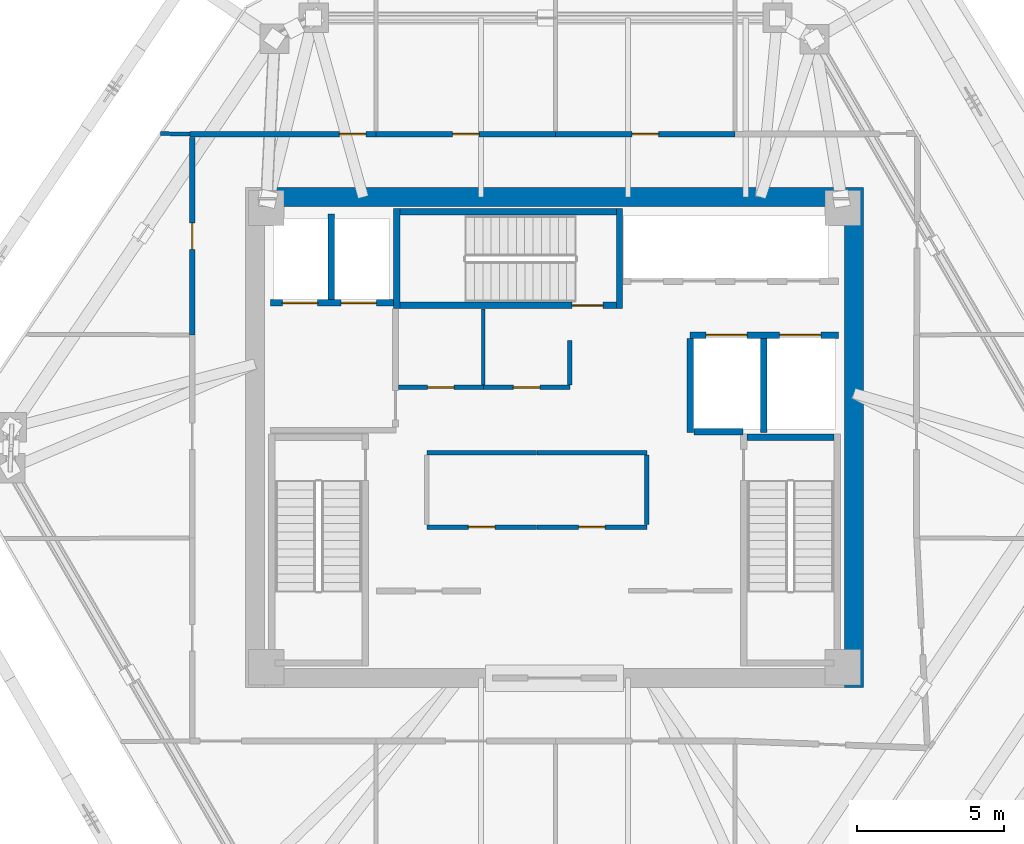
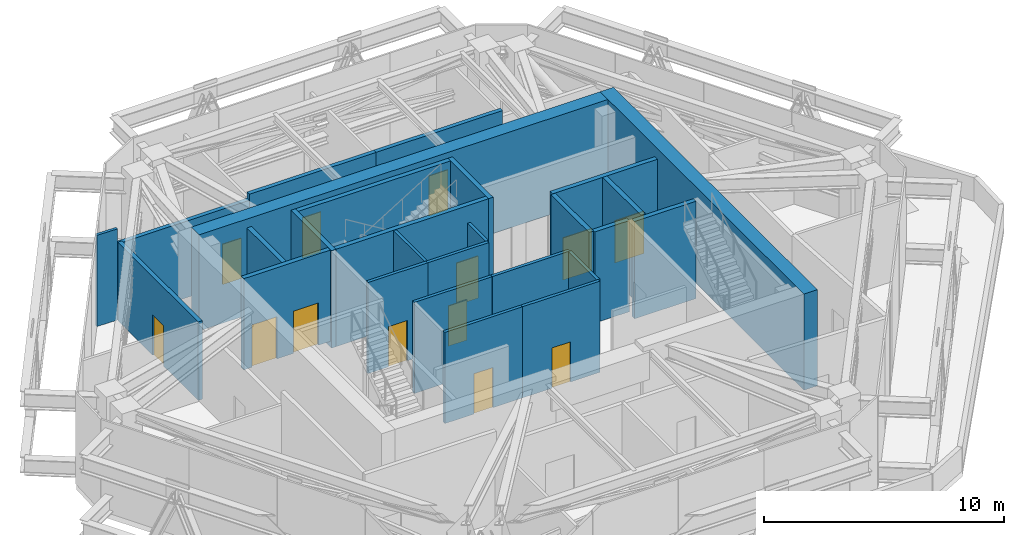
# One storey, part 8 of 10: 27 walls, 13 doors, 13 openings.
"""IFC4 building model written with IfcOpenShell, lengths in metres."""

from ifc_helpers import new_model, si_unit, direction, frame, frame_2d, origin, place, context, subcontext, project, spatial, rectangle, extrude, source, transform, mapped, material, layer, layer_set, type_object, type_shapes, element, fill, save


model = new_model("IFC4")

# Units and contexts
model_context = context("Model", 3, precision=1e-05, world=origin(), true_north=direction((0.0, 1.0)))
body_context = subcontext(model_context, "Body", "Model", "MODEL_VIEW")
ifc_project = project(units=[si_unit("LENGTHUNIT", "METRE"), si_unit("AREAUNIT", "SQUARE_METRE"), si_unit("VOLUMEUNIT", "CUBIC_METRE"), si_unit("PLANEANGLEUNIT", "RADIAN"), si_unit("MASSUNIT", "GRAM", prefix="KILO")], contexts=[model_context])

# Site, building, storey
site_placement = place(None, origin())
site = spatial("IfcSite", under=ifc_project, at=site_placement, CompositionType="ELEMENT")
building_placement = place(site_placement, origin())
building = spatial("IfcBuilding", under=site, at=building_placement, Name="Durnholm Broadcast Tower", CompositionType="ELEMENT")
storey_placement = place(building_placement, frame((0.0, 0.0, 213.39990234375)))
storey = spatial("IfcBuildingStorey", under=building, at=storey_placement, Name="L59", CompositionType="ELEMENT", Elevation=213.39990234375)

# Walls
ifc_material_1 = material(Name="Concrete C70/85", Category="concrete")
ifc_layer_1 = layer(ifc_material_1, 0.64990234375)
ifc_layer_set_1 = layer_set([ifc_layer_1], Name="Concrete C70/85")
wall_type_1 = type_object("IfcWallType", Name="WALL-CW-650", PredefinedType="SHEAR", material=ifc_layer_set_1)
wall_1_placement = place(storey_placement, frame((10.175048828125, -8.5, 0.0), z_axis=(0.0, 0.0, 1.0), x_axis=(0.0, 1.0, 0.0)))
element("IfcWall", 1, at=wall_1_placement, inside=storey, type_object=wall_type_1, Name="L59 central core shear wall CW-EAST", PredefinedType="SHEAR", context=body_context, shape_type="SweptSolid", body=[
    extrude(rectangle(XDim=17.0, YDim=0.64990234375, at=frame_2d((8.5, 0.0))), origin(), (0.0, 0.0, 1.0), 4.900146484375),
])
wall_2_placement = place(storey_placement, frame((-9.85009765625, 8.175048828125, 0.0), z_axis=(0.0, 0.0, 1.0), x_axis=(1.0, 0.0, 0.0)))
element("IfcWall", 2, at=wall_2_placement, inside=storey, type_object=wall_type_1, Name="L59 central core shear wall CW-N", PredefinedType="SHEAR", context=body_context, shape_type="SweptSolid", body=[
    extrude(rectangle(XDim=19.7001953125, YDim=0.64990234375, at=frame_2d((9.85009765625, 0.0))), origin(), (0.0, 0.0, 1.0), 4.900146484375),
])

# Wall, opening, door
ifc_material_2 = material(Name="Fire-Rated Gypsum Shaftwall", Category="concrete")
ifc_layer_2 = layer(ifc_material_2, 0.199951171875)
ifc_layer_set_2 = layer_set([ifc_layer_2], Name="Fire-Rated Gypsum Shaftwall")
wall_type_2 = type_object("IfcWallType", Name="WALL-LOB-200", PredefinedType="SOLIDWALL", material=ifc_layer_set_2)
wall_3_placement = place(storey_placement, frame((-6.06005859375, 10.31005859375, 0.0), z_axis=(0.0, 0.0, 1.0), x_axis=(-1.0, 0.0, 0.0)))
wall_3 = element("IfcWall", 3, at=wall_3_placement, inside=storey, type_object=wall_type_2, Name="L59 Mechanical Plant Room - Chilled Water Heat Exchanger corridor partition", PredefinedType="SOLIDWALL", context=body_context, shape_type="SweptSolid", body=[
    extrude(rectangle(XDim=6.329833984375, YDim=0.199951171875, at=frame_2d((3.1650390625, 0.0))), origin(), (0.0, 0.0, 1.0), 3.9013671875),
])
opening_1_placement = place(wall_3_placement, frame((0.35009765625, 0.0, 0.0)))
opening_1 = element("IfcOpeningElement", 4, at=opening_1_placement, cuts=wall_3, Name="Opening DC-60L", PredefinedType="OPENING", context=body_context, shape_type="SweptSolid", body=[
    extrude(rectangle(XDim=0.89990234375, YDim=2.050048828125, at=frame_2d((0.449951171875, 1.02490234375))), frame((0.0, 0.10986328125, 0.0), z_axis=(0.0, -1.0, 0.0), x_axis=(1.0, 0.0, 0.0)), (0.0, 0.0, 1.0), 0.219970703125),
])
ifc_material_3 = material(Name="Fire-Rated Core Service Door", Category="steel")
ifc_layer_3 = layer(ifc_material_3, 0.050048828125)
ifc_layer_set_3 = layer_set([ifc_layer_3], Name="Fire-Rated Core Service Door")
door_type_1 = type_object("IfcDoorType", Name="DOOR-CORE-FD60-L", OperationType="NOTDEFINED", PredefinedType="DOOR", material=ifc_layer_set_3)
shared_shape_1 = source(origin(), body_context, "Body", "SweptSolid", [
    extrude(rectangle(XDim=0.89990234375, YDim=2.050048828125, at=frame_2d((0.449951171875, 1.02490234375))), frame((0.0, 0.02490234375, 0.0), z_axis=(0.0, -1.0, 0.0), x_axis=(1.0, 0.0, 0.0)), (0.0, 0.0, 1.0), 0.050048828125),
])
type_shapes(door_type_1, [shared_shape_1])
door_1_placement = place(opening_1_placement, origin())
door_1 = element("IfcDoor", 5, at=door_1_placement, inside=storey, type_object=door_type_1, Name="L59 Mechanical Plant Room - Chilled Water Heat Exchanger entrance door", OperationType="SINGLE_SWING_LEFT", OverallHeight=2.050048828125, OverallWidth=0.89990234375, PredefinedType="DOOR", context=body_context, shape_type="MappedRepresentation", body=[
    mapped(shared_shape_1, transform((0.0, 0.0, 0.0), x_axis=(1.0, 0.0, 0.0), y_axis=(0.0, 1.0, 0.0), z_axis=(0.0, 0.0, 1.0), scale=1.0)),
])
fill(opening_1, door_1)

wall_4_placement = place(storey_placement, frame((0.0400390625, 10.31005859375, 0.0), z_axis=(0.0, 0.0, 1.0), x_axis=(-1.0, 0.0, 0.0)))
wall_4 = element("IfcWall", 6, at=wall_4_placement, inside=storey, type_object=wall_type_2, Name="L59 Mechanical Plant Room - Dedicated Outdoor Air Handling corridor partition", PredefinedType="SOLIDWALL", context=body_context, shape_type="SweptSolid", body=[
    extrude(rectangle(XDim=6.10009765625, YDim=0.199951171875, at=frame_2d((3.050048828125, 0.0))), origin(), (0.0, 0.0, 1.0), 4.20849609375),
])
opening_2_placement = place(wall_4_placement, frame((2.60009765625, 0.0, 0.0)))
opening_2 = element("IfcOpeningElement", 7, at=opening_2_placement, cuts=wall_4, Name="Opening DC-60R", PredefinedType="OPENING", context=body_context, shape_type="SweptSolid", body=[
    extrude(rectangle(XDim=0.89990234375, YDim=2.050048828125, at=frame_2d((0.449951171875, 1.02490234375))), frame((0.0, 0.10986328125, 0.0), z_axis=(0.0, -1.0, 0.0), x_axis=(1.0, 0.0, 0.0)), (0.0, 0.0, 1.0), 0.219970703125),
])
ifc_layer_4 = layer(ifc_material_3, 0.050048828125)
ifc_layer_set_4 = layer_set([ifc_layer_4], Name="Fire-Rated Core Service Door")
door_type_2 = type_object("IfcDoorType", Name="DOOR-CORE-FD60-R", OperationType="NOTDEFINED", PredefinedType="DOOR", material=ifc_layer_set_4)
shared_shape_2 = source(origin(), body_context, "Body", "SweptSolid", [
    extrude(rectangle(XDim=0.89990234375, YDim=2.050048828125, at=frame_2d((0.449951171875, 1.02490234375))), frame((0.0, 0.02490234375, 0.0), z_axis=(0.0, -1.0, 0.0), x_axis=(1.0, 0.0, 0.0)), (0.0, 0.0, 1.0), 0.050048828125),
])
type_shapes(door_type_2, [shared_shape_2])
door_2_placement = place(opening_2_placement, origin())
door_2 = element("IfcDoor", 8, at=door_2_placement, inside=storey, type_object=door_type_2, Name="L59 Mechanical Plant Room - Dedicated Outdoor Air Handling entrance door", OperationType="SINGLE_SWING_RIGHT", OverallHeight=2.050048828125, OverallWidth=0.89990234375, PredefinedType="DOOR", context=body_context, shape_type="MappedRepresentation", body=[
    mapped(shared_shape_2, transform((0.0, 0.0, 0.0), x_axis=(1.0, 0.0, 0.0), y_axis=(0.0, 1.0, 0.0), z_axis=(0.0, 0.0, 1.0), scale=1.0)),
])
fill(opening_2, door_2)

wall_5_placement = place(storey_placement, frame((6.139892578125, 10.31005859375, 0.0), z_axis=(0.0, 0.0, 1.0), x_axis=(-1.0, 0.0, 0.0)))
wall_5 = element("IfcWall", 9, at=wall_5_placement, inside=storey, type_object=wall_type_2, Name="L59 Mechanical Plant Room - Condenser Water Pump Station corridor partition", PredefinedType="SOLIDWALL", context=body_context, shape_type="SweptSolid", body=[
    extrude(rectangle(XDim=6.099853515625, YDim=0.199951171875, at=frame_2d((3.0498046875, 0.0))), origin(), (0.0, 0.0, 1.0), 4.20849609375),
])
opening_3_placement = place(wall_5_placement, frame((2.60009765625, 0.0, 0.0)))
opening_3 = element("IfcOpeningElement", 10, at=opening_3_placement, cuts=wall_5, Name="Opening DC-60L", PredefinedType="OPENING", context=body_context, shape_type="SweptSolid", body=[
    extrude(rectangle(XDim=0.89990234375, YDim=2.050048828125, at=frame_2d((0.449951171875, 1.02490234375))), frame((0.0, 0.10986328125, 0.0), z_axis=(0.0, -1.0, 0.0), x_axis=(1.0, 0.0, 0.0)), (0.0, 0.0, 1.0), 0.219970703125),
])
door_3_placement = place(opening_3_placement, origin())
door_3 = element("IfcDoor", 11, at=door_3_placement, inside=storey, type_object=door_type_1, Name="L59 Mechanical Plant Room - Condenser Water Pump Station entrance door", OperationType="SINGLE_SWING_LEFT", OverallHeight=2.050048828125, OverallWidth=0.89990234375, PredefinedType="DOOR", context=body_context, shape_type="MappedRepresentation", body=[
    mapped(shared_shape_1, transform((0.0, 0.0, 0.0), x_axis=(1.0, 0.0, 0.0), y_axis=(0.0, 1.0, 0.0), z_axis=(0.0, 0.0, 1.0), scale=1.0)),
])
fill(opening_3, door_3)

wall_6_placement = place(storey_placement, frame((-12.31005859375, 10.2060546875, 0.0), z_axis=(0.0, 0.0, 1.0), x_axis=(0.0, -1.0, 0.0)))
wall_6 = element("IfcWall", 12, at=wall_6_placement, inside=storey, type_object=wall_type_2, Name="L59 Mechanical Plant Room - Telecom Cooling Distribution corridor partition", PredefinedType="SOLIDWALL", context=body_context, shape_type="SweptSolid", body=[
    extrude(rectangle(XDim=6.716064453125, YDim=0.199951171875, at=frame_2d((3.35791015625, 0.0))), origin(), (0.0, 0.0, 1.0), 3.998779296875),
])
opening_4_placement = place(wall_6_placement, frame((2.907958984375, 0.0, 0.0)))
opening_4 = element("IfcOpeningElement", 13, at=opening_4_placement, cuts=wall_6, Name="Opening DC-60R", PredefinedType="OPENING", context=body_context, shape_type="SweptSolid", body=[
    extrude(rectangle(XDim=0.89990234375, YDim=2.050048828125, at=frame_2d((0.449951171875, 1.02490234375))), frame((0.0, 0.10986328125, 0.0), z_axis=(0.0, -1.0, 0.0), x_axis=(1.0, 0.0, 0.0)), (0.0, 0.0, 1.0), 0.219970703125),
])
door_4_placement = place(opening_4_placement, origin())
door_4 = element("IfcDoor", 14, at=door_4_placement, inside=storey, type_object=door_type_2, Name="L59 Mechanical Plant Room - Telecom Cooling Distribution entrance door", OperationType="SINGLE_SWING_RIGHT", OverallHeight=2.050048828125, OverallWidth=0.89990234375, PredefinedType="DOOR", context=body_context, shape_type="MappedRepresentation", body=[
    mapped(shared_shape_2, transform((0.0, 0.0, 0.0), x_axis=(1.0, 0.0, 0.0), y_axis=(0.0, 1.0, 0.0), z_axis=(0.0, 0.0, 1.0), scale=1.0)),
])
fill(opening_4, door_4)

# Walls
ifc_material_4 = material(Name="Gypsum Metal Stud Partition", Category="concrete")
ifc_layer_5 = layer(ifc_material_4, 0.135009765625)
ifc_layer_set_5 = layer_set([ifc_layer_5], Name="Gypsum Metal Stud Partition")
wall_type_3 = type_object("IfcWallType", Name="WALL-PART-135", PredefinedType="PARTITIONING", material=ifc_layer_set_5)
wall_7_placement = place(storey_placement, frame((-2.419921875, 4.375, 0.0), z_axis=(0.0, 0.0, 1.0), x_axis=(0.0, -1.0, 0.0)))
element("IfcWall", 15, at=wall_7_placement, inside=storey, type_object=wall_type_3, Name="L59 room dividing partition 5.6", PredefinedType="PARTITIONING", context=body_context, shape_type="SweptSolid", body=[
    extrude(rectangle(XDim=2.5859375, YDim=0.135009765625, at=frame_2d((1.29296875, 0.0))), origin(), (0.0, 0.0, 1.0), 4.64501953125),
])
wall_8_placement = place(storey_placement, frame((-12.389892578125, 10.311767578125, 0.0), z_axis=(0.0, 0.0, 1.0), x_axis=(-0.999782630862, 0.020849245246, 0.0)))
element("IfcWall", 16, at=wall_8_placement, inside=storey, type_object=wall_type_3, Name="L59 room dividing partition 7.20", PredefinedType="PARTITIONING", context=body_context, shape_type="SweptSolid", body=[
    extrude(rectangle(XDim=0.995361328125, YDim=0.135009765625, at=frame_2d((0.49755859375, 0.0))), origin(), (0.0, 0.0, 1.0), 4.64501953125),
])

# Wall, opening, door
ifc_material_5 = material(Name="Acoustic Gypsum Stud Partition", Category="concrete")
ifc_layer_6 = layer(ifc_material_5, 0.14990234375)
ifc_layer_set_6 = layer_set([ifc_layer_6], Name="Acoustic Gypsum Stud Partition")
wall_type_4 = type_object("IfcWallType", Name="WALL-PART-150", PredefinedType="PARTITIONING", material=ifc_layer_set_6)
wall_9_placement = place(storey_placement, frame((-0.610107421875, -3.0400390625, 0.0), z_axis=(0.0, 0.0, 1.0), x_axis=(-1.0, 0.0, 0.0)))
wall_9 = element("IfcWall", 17, at=wall_9_placement, inside=storey, type_object=wall_type_4, Name="L59 Digital Tape Archive Store corridor partition", PredefinedType="PARTITIONING", context=body_context, shape_type="SweptSolid", body=[
    extrude(rectangle(XDim=3.72998046875, YDim=0.14990234375, at=frame_2d((1.864990234375, 0.0))), origin(), (0.0, 0.0, 1.0), 4.64501953125),
])
opening_5_placement = place(wall_9_placement, frame((1.4150390625, 0.0, 0.0)))
opening_5 = element("IfcOpeningElement", 18, at=opening_5_placement, cuts=wall_9, Name="Opening DC-60L", PredefinedType="OPENING", context=body_context, shape_type="SweptSolid", body=[
    extrude(rectangle(XDim=0.89990234375, YDim=2.050048828125, at=frame_2d((0.449951171875, 1.02490234375))), frame((0.0, 0.0849609375, 0.0), z_axis=(0.0, -1.0, 0.0), x_axis=(1.0, 0.0, 0.0)), (0.0, 0.0, 1.0), 0.169921875),
])
door_5_placement = place(opening_5_placement, origin())
door_5 = element("IfcDoor", 19, at=door_5_placement, inside=storey, type_object=door_type_1, Name="L59 Digital Tape Archive Store entrance door", OperationType="SINGLE_SWING_LEFT", OverallHeight=2.050048828125, OverallWidth=0.89990234375, PredefinedType="DOOR", context=body_context, shape_type="MappedRepresentation", body=[
    mapped(shared_shape_1, transform((0.0, 0.0, 0.0), x_axis=(1.0, 0.0, 0.0), y_axis=(0.0, 1.0, 0.0), z_axis=(0.0, 0.0, 1.0), scale=1.0)),
])
fill(opening_5, door_5)

# Wall
wall_10_placement = place(storey_placement, frame((-4.340087890625, -0.510009765625, 0.0), z_axis=(0.0, 0.0, 1.0), x_axis=(1.0, 0.0, 0.0)))
element("IfcWall", 20, at=wall_10_placement, inside=storey, type_object=wall_type_4, Name="L59 Digital Tape Archive Store corridor partition", PredefinedType="PARTITIONING", context=body_context, shape_type="SweptSolid", body=[
    extrude(rectangle(XDim=3.72998046875, YDim=0.14990234375, at=frame_2d((1.864990234375, 0.0))), origin(), (0.0, 0.0, 1.0), 4.64501953125),
])

# Wall, opening, door
wall_11_placement = place(storey_placement, frame((3.139892578125, -3.0400390625, 0.0), z_axis=(0.0, 0.0, 1.0), x_axis=(-1.0, 0.0, 0.0)))
wall_11 = element("IfcWall", 21, at=wall_11_placement, inside=storey, type_object=wall_type_4, Name="L59 High-Rise Refreshment Pantry corridor partition", PredefinedType="PARTITIONING", context=body_context, shape_type="SweptSolid", body=[
    extrude(rectangle(XDim=3.72998046875, YDim=0.14990234375, at=frame_2d((1.864990234375, 0.0))), origin(), (0.0, 0.0, 1.0), 4.64501953125),
])
opening_6_placement = place(wall_11_placement, frame((1.4150390625, 0.0, 0.0)))
opening_6 = element("IfcOpeningElement", 22, at=opening_6_placement, cuts=wall_11, Name="Opening DC-60R", PredefinedType="OPENING", context=body_context, shape_type="SweptSolid", body=[
    extrude(rectangle(XDim=0.89990234375, YDim=2.050048828125, at=frame_2d((0.449951171875, 1.02490234375))), frame((0.0, 0.0849609375, 0.0), z_axis=(0.0, -1.0, 0.0), x_axis=(1.0, 0.0, 0.0)), (0.0, 0.0, 1.0), 0.169921875),
])
door_6_placement = place(opening_6_placement, origin())
door_6 = element("IfcDoor", 23, at=door_6_placement, inside=storey, type_object=door_type_2, Name="L59 High-Rise Refreshment Pantry entrance door", OperationType="SINGLE_SWING_RIGHT", OverallHeight=2.050048828125, OverallWidth=0.89990234375, PredefinedType="DOOR", context=body_context, shape_type="MappedRepresentation", body=[
    mapped(shared_shape_2, transform((0.0, 0.0, 0.0), x_axis=(1.0, 0.0, 0.0), y_axis=(0.0, 1.0, 0.0), z_axis=(0.0, 0.0, 1.0), scale=1.0)),
])
fill(opening_6, door_6)

# Walls
wall_12_placement = place(storey_placement, frame((-0.590087890625, -0.510009765625, 0.0), z_axis=(0.0, 0.0, 1.0), x_axis=(1.0, 0.0, 0.0)))
element("IfcWall", 24, at=wall_12_placement, inside=storey, type_object=wall_type_4, Name="L59 High-Rise Refreshment Pantry corridor partition", PredefinedType="PARTITIONING", context=body_context, shape_type="SweptSolid", body=[
    extrude(rectangle(XDim=3.72998046875, YDim=0.14990234375, at=frame_2d((1.864990234375, 0.0))), origin(), (0.0, 0.0, 1.0), 4.64501953125),
])
wall_13_placement = place(storey_placement, frame((3.139892578125, -0.589111328125, 0.0), z_axis=(0.0, 0.0, 1.0), x_axis=(0.0, -1.0, 0.0)))
element("IfcWall", 25, at=wall_13_placement, inside=storey, type_object=wall_type_4, Name="L59 High-Rise Refreshment Pantry corridor partition", PredefinedType="PARTITIONING", context=body_context, shape_type="SweptSolid", body=[
    extrude(rectangle(XDim=2.371826171875, YDim=0.14990234375, at=frame_2d((1.18603515625, 0.0))), origin(), (0.0, 0.0, 1.0), 4.64501953125),
])

# Wall, opening, door
wall_14_placement = place(storey_placement, frame((-2.419921875, 1.7099609375, 0.0), z_axis=(0.0, 0.0, 1.0), x_axis=(-1.0, 0.0, 0.0)))
wall_14 = element("IfcWall", 26, at=wall_14_placement, inside=storey, type_object=wall_type_4, Name="L59 Core Equipment Store corridor partition", PredefinedType="PARTITIONING", context=body_context, shape_type="SweptSolid", body=[
    extrude(rectangle(XDim=2.8759765625, YDim=0.14990234375, at=frame_2d((1.43798828125, 0.0))), origin(), (0.0, 0.0, 1.0), 4.64501953125),
])
opening_7_placement = place(wall_14_placement, frame((0.988037109375, 0.0, 0.0)))
opening_7 = element("IfcOpeningElement", 27, at=opening_7_placement, cuts=wall_14, Name="Opening DC-60L", PredefinedType="OPENING", context=body_context, shape_type="SweptSolid", body=[
    extrude(rectangle(XDim=0.89990234375, YDim=2.050048828125, at=frame_2d((0.449951171875, 1.02490234375))), frame((0.0, 0.0849609375, 0.0), z_axis=(0.0, -1.0, 0.0), x_axis=(1.0, 0.0, 0.0)), (0.0, 0.0, 1.0), 0.169921875),
])
door_7_placement = place(opening_7_placement, origin())
door_7 = element("IfcDoor", 28, at=door_7_placement, inside=storey, type_object=door_type_1, Name="L59 Core Equipment Store entrance door", OperationType="SINGLE_SWING_LEFT", OverallHeight=2.050048828125, OverallWidth=0.89990234375, PredefinedType="DOOR", context=body_context, shape_type="MappedRepresentation", body=[
    mapped(shared_shape_1, transform((0.0, 0.0, 0.0), x_axis=(1.0, 0.0, 0.0), y_axis=(0.0, 1.0, 0.0), z_axis=(0.0, 0.0, 1.0), scale=1.0)),
])
fill(opening_7, door_7)

wall_15_placement = place(storey_placement, frame((0.52001953125, 1.7099609375, 0.0), z_axis=(0.0, 0.0, 1.0), x_axis=(-1.0, 0.0, 0.0)))
wall_15 = element("IfcWall", 29, at=wall_15_placement, inside=storey, type_object=wall_type_4, Name="L59 Core Mail and Supply Room corridor partition", PredefinedType="PARTITIONING", context=body_context, shape_type="SweptSolid", body=[
    extrude(rectangle(XDim=2.93994140625, YDim=0.14990234375, at=frame_2d((1.469970703125, 0.0))), origin(), (0.0, 0.0, 1.0), 4.64501953125),
])
opening_8_placement = place(wall_15_placement, frame((1.02001953125, 0.0, 0.0)))
opening_8 = element("IfcOpeningElement", 30, at=opening_8_placement, cuts=wall_15, Name="Opening DC-60R", PredefinedType="OPENING", context=body_context, shape_type="SweptSolid", body=[
    extrude(rectangle(XDim=0.89990234375, YDim=2.050048828125, at=frame_2d((0.449951171875, 1.02490234375))), frame((0.0, 0.0849609375, 0.0), z_axis=(0.0, -1.0, 0.0), x_axis=(1.0, 0.0, 0.0)), (0.0, 0.0, 1.0), 0.169921875),
])
door_8_placement = place(opening_8_placement, origin())
door_8 = element("IfcDoor", 31, at=door_8_placement, inside=storey, type_object=door_type_2, Name="L59 Core Mail and Supply Room entrance door", OperationType="SINGLE_SWING_RIGHT", OverallHeight=2.050048828125, OverallWidth=0.89990234375, PredefinedType="DOOR", context=body_context, shape_type="MappedRepresentation", body=[
    mapped(shared_shape_2, transform((0.0, 0.0, 0.0), x_axis=(1.0, 0.0, 0.0), y_axis=(0.0, 1.0, 0.0), z_axis=(0.0, 0.0, 1.0), scale=1.0)),
])
fill(opening_8, door_8)

# Wall
wall_16_placement = place(storey_placement, frame((0.52001953125, 3.300048828125, 0.0), z_axis=(0.0, 0.0, 1.0), x_axis=(0.0, -1.0, 0.0)))
element("IfcWall", 32, at=wall_16_placement, inside=storey, type_object=wall_type_4, Name="L59 Core Mail and Supply Room corridor partition", PredefinedType="PARTITIONING", context=body_context, shape_type="SweptSolid", body=[
    extrude(rectangle(XDim=1.510986328125, YDim=0.14990234375, at=frame_2d((0.75537109375, 0.0))), origin(), (0.0, 0.0, 1.0), 4.64501953125),
])

# Wall, openings, doors
ifc_material_6 = material(Name="Concrete Blockwork C30/37", Category="masonry")
ifc_layer_7 = layer(ifc_material_6, 0.219970703125)
ifc_layer_set_7 = layer_set([ifc_layer_7], Name="Concrete Blockwork C30/37")
wall_type_5 = type_object("IfcWallType", Name="WALL-SHAFT-220", PredefinedType="SOLIDWALL", material=ifc_layer_set_7)
wall_17_placement = place(storey_placement, frame((-9.64990234375, 4.580078125, 0.0), z_axis=(0.0, 0.0, 1.0), x_axis=(1.0, 0.0, 0.0)))
wall_17 = element("IfcWall", 33, at=wall_17_placement, inside=storey, type_object=wall_type_5, Name="L59 FSAE hoistway front fire wall", PredefinedType="SOLIDWALL", context=body_context, shape_type="SweptSolid", body=[
    extrude(rectangle(XDim=4.1748046875, YDim=0.219970703125, at=frame_2d((2.08740234375, 0.0))), origin(), (0.0, 0.0, 1.0), 4.64501953125),
])
opening_9_placement = place(wall_17_placement, frame((0.39990234375, 0.0, 0.0)))
opening_9 = element("IfcOpeningElement", 34, at=opening_9_placement, cuts=wall_17, Name="Opening LD-FSAE-2", PredefinedType="OPENING", context=body_context, shape_type="SweptSolid", body=[
    extrude(rectangle(XDim=1.199951171875, YDim=2.14990234375, at=frame_2d((0.60009765625, 1.074951171875))), frame((0.0, 0.1201171875, 0.0), z_axis=(0.0, -1.0, 0.0), x_axis=(1.0, 0.0, 0.0)), (0.0, 0.0, 1.0), 0.239990234375),
])
opening_10_placement = place(wall_17_placement, frame((2.39990234375, 0.0, 0.0)))
opening_10 = element("IfcOpeningElement", 35, at=opening_10_placement, cuts=wall_17, Name="Opening LD-FSAE-1", PredefinedType="OPENING", context=body_context, shape_type="SweptSolid", body=[
    extrude(rectangle(XDim=1.199951171875, YDim=2.14990234375, at=frame_2d((0.60009765625, 1.074951171875))), frame((0.0, 0.1201171875, 0.0), z_axis=(0.0, -1.0, 0.0), x_axis=(1.0, 0.0, 0.0)), (0.0, 0.0, 1.0), 0.239990234375),
])
ifc_material_7 = material(Name="Fire Service Access Sliding Landing Door", Category="steel")
ifc_layer_8 = layer(ifc_material_7, 0.050048828125)
ifc_layer_set_8 = layer_set([ifc_layer_8], Name="Fire Service Access Sliding Landing Door")
door_type_3 = type_object("IfcDoorType", Name="DOOR-LIFT-FSAE", OperationType="DOUBLE_DOOR_SLIDING", PredefinedType="DOOR", material=ifc_layer_set_8)
shared_shape_3 = source(origin(), body_context, "Body", "SweptSolid", [
    extrude(rectangle(XDim=1.199951171875, YDim=2.14990234375, at=frame_2d((0.60009765625, 1.074951171875))), frame((0.0, 0.02490234375, 0.0), z_axis=(0.0, -1.0, 0.0), x_axis=(1.0, 0.0, 0.0)), (0.0, 0.0, 1.0), 0.050048828125),
])
type_shapes(door_type_3, [shared_shape_3])
door_9_placement = place(opening_9_placement, origin())
door_9 = element("IfcDoor", 36, at=door_9_placement, inside=storey, type_object=door_type_3, Name="L59 Fire Service Access Elevator FSAE-2 sliding landing door", OperationType="DOUBLE_DOOR_SLIDING", OverallHeight=2.14990234375, OverallWidth=1.199951171875, PredefinedType="DOOR", context=body_context, shape_type="MappedRepresentation", body=[
    mapped(shared_shape_3, transform((0.0, 0.0, 0.0), x_axis=(1.0, 0.0, 0.0), y_axis=(0.0, 1.0, 0.0), z_axis=(0.0, 0.0, 1.0), scale=1.0)),
])
fill(opening_9, door_9)
door_10_placement = place(opening_10_placement, origin())
door_10 = element("IfcDoor", 37, at=door_10_placement, inside=storey, type_object=door_type_3, Name="L59 Fire Service Access Elevator FSAE-1 sliding landing door", OperationType="DOUBLE_DOOR_SLIDING", OverallHeight=2.14990234375, OverallWidth=1.199951171875, PredefinedType="DOOR", context=body_context, shape_type="MappedRepresentation", body=[
    mapped(shared_shape_3, transform((0.0, 0.0, 0.0), x_axis=(1.0, 0.0, 0.0), y_axis=(0.0, 1.0, 0.0), z_axis=(0.0, 0.0, 1.0), scale=1.0)),
])
fill(opening_10, door_10)

# Wall
wall_18_placement = place(storey_placement, frame((-7.580078125, 4.694091796875, 0.0), z_axis=(0.0, 0.0, 1.0), x_axis=(0.0, 1.0, 0.0)))
element("IfcWall", 38, at=wall_18_placement, inside=storey, type_object=wall_type_5, Name="L59 FSAE shaft divider wall", PredefinedType="SOLIDWALL", context=body_context, shape_type="SweptSolid", body=[
    extrude(rectangle(XDim=2.906005859375, YDim=0.219970703125, at=frame_2d((1.453125, 0.0))), origin(), (0.0, 0.0, 1.0), 4.64501953125),
])

# Wall, openings, doors
wall_19_placement = place(storey_placement, frame((4.60009765625, 3.47998046875, 0.0), z_axis=(0.0, 0.0, 1.0), x_axis=(1.0, 0.0, 0.0)))
wall_19 = element("IfcWall", 39, at=wall_19_placement, inside=storey, type_object=wall_type_5, Name="L59 freight service lifts north front wall", PredefinedType="SOLIDWALL", context=body_context, shape_type="SweptSolid", body=[
    extrude(rectangle(XDim=5.0498046875, YDim=0.219970703125, at=frame_2d((2.52490234375, 0.0))), origin(), (0.0, 0.0, 1.0), 4.64501953125),
])
opening_11_placement = place(wall_19_placement, frame((0.550048828125, 0.0, 0.0)))
opening_11 = element("IfcOpeningElement", 40, at=opening_11_placement, cuts=wall_19, Name="Opening LD-SVL-2", PredefinedType="OPENING", context=body_context, shape_type="SweptSolid", body=[
    extrude(rectangle(XDim=1.39990234375, YDim=2.14990234375, at=frame_2d((0.699951171875, 1.074951171875))), frame((0.0, 0.1201171875, 0.0), z_axis=(0.0, -1.0, 0.0), x_axis=(1.0, 0.0, 0.0)), (0.0, 0.0, 1.0), 0.239990234375),
])
opening_12_placement = place(wall_19_placement, frame((3.050048828125, 0.0, 0.0)))
opening_12 = element("IfcOpeningElement", 41, at=opening_12_placement, cuts=wall_19, Name="Opening LD-SVL-1", PredefinedType="OPENING", context=body_context, shape_type="SweptSolid", body=[
    extrude(rectangle(XDim=1.39990234375, YDim=2.14990234375, at=frame_2d((0.699951171875, 1.074951171875))), frame((0.0, 0.1201171875, 0.0), z_axis=(0.0, -1.0, 0.0), x_axis=(1.0, 0.0, 0.0)), (0.0, 0.0, 1.0), 0.239990234375),
])
ifc_material_8 = material(Name="Freight Elevator Bi-Parting Sliding Landing Door", Category="steel")
ifc_layer_9 = layer(ifc_material_8, 0.050048828125)
ifc_layer_set_9 = layer_set([ifc_layer_9], Name="Freight Elevator Bi-Parting Sliding Landing Door")
door_type_4 = type_object("IfcDoorType", Name="DOOR-LIFT-SVL", OperationType="DOUBLE_DOOR_SLIDING", PredefinedType="DOOR", material=ifc_layer_set_9)
shared_shape_4 = source(origin(), body_context, "Body", "SweptSolid", [
    extrude(rectangle(XDim=1.39990234375, YDim=2.14990234375, at=frame_2d((0.699951171875, 1.074951171875))), frame((0.0, 0.02490234375, 0.0), z_axis=(0.0, -1.0, 0.0), x_axis=(1.0, 0.0, 0.0)), (0.0, 0.0, 1.0), 0.050048828125),
])
type_shapes(door_type_4, [shared_shape_4])
door_11_placement = place(opening_11_placement, origin())
door_11 = element("IfcDoor", 42, at=door_11_placement, inside=storey, type_object=door_type_4, Name="L59 freight service elevator SVL-2 sliding landing door", OperationType="DOUBLE_DOOR_SLIDING", OverallHeight=2.14990234375, OverallWidth=1.39990234375, PredefinedType="DOOR", context=body_context, shape_type="MappedRepresentation", body=[
    mapped(shared_shape_4, transform((0.0, 0.0, 0.0), x_axis=(1.0, 0.0, 0.0), y_axis=(0.0, 1.0, 0.0), z_axis=(0.0, 0.0, 1.0), scale=1.0)),
])
fill(opening_11, door_11)
door_12_placement = place(opening_12_placement, origin())
door_12 = element("IfcDoor", 43, at=door_12_placement, inside=storey, type_object=door_type_4, Name="L59 freight service elevator SVL-1 sliding landing door", OperationType="DOUBLE_DOOR_SLIDING", OverallHeight=2.14990234375, OverallWidth=1.39990234375, PredefinedType="DOOR", context=body_context, shape_type="MappedRepresentation", body=[
    mapped(shared_shape_4, transform((0.0, 0.0, 0.0), x_axis=(1.0, 0.0, 0.0), y_axis=(0.0, 1.0, 0.0), z_axis=(0.0, 0.0, 1.0), scale=1.0)),
])
fill(opening_12, door_12)

# Walls
for number, where, z_axis, x_axis, name in (
    (44, (4.6201171875, 0.179931640625, 0.0), (0.0, 0.0, 1.0), (0.0, 1.0, 0.0), "L59 freight service lift SVL-2 west wall"),
    (45, (7.1201171875, 0.179931640625, 0.0), (0.0, 0.0, 1.0), (0.0, 1.0, 0.0), "L59 freight service lifts divider wall"),
):
    element("IfcWall", number, at=place(storey_placement, frame(where, z_axis=z_axis, x_axis=x_axis)), inside=storey, type_object=wall_type_5, Name=name, PredefinedType="SOLIDWALL", context=body_context, shape_type="SweptSolid", body=[
        extrude(rectangle(XDim=3.18603515625, YDim=0.219970703125, at=frame_2d((1.593017578125, 0.0))), origin(), (0.0, 0.0, 1.0), 4.64501953125),
    ])
wall_20_placement = place(storey_placement, frame((4.73388671875, 0.199951171875, 0.0), z_axis=(0.0, 0.0, 1.0), x_axis=(1.0, 0.0, 0.0)))
element("IfcWall", 46, at=wall_20_placement, inside=storey, type_object=wall_type_5, Name="L59 freight service lift SVL-2 south wall", PredefinedType="SOLIDWALL", context=body_context, shape_type="SweptSolid", body=[
    extrude(rectangle(XDim=1.666015625, YDim=0.219970703125, at=frame_2d((0.8330078125, 0.0))), origin(), (0.0, 0.0, 1.0), 4.64501953125),
])
ifc_material_9 = material(Name="Concrete C50/60", Category="concrete")
ifc_layer_10 = layer(ifc_material_9, 0.219970703125)
ifc_layer_set_10 = layer_set([ifc_layer_10], Name="Concrete C50/60")
wall_type_6 = type_object("IfcWallType", Name="WALL-SW-220", PredefinedType="SHEAR", material=ifc_layer_set_10)
wall_21_placement = place(storey_placement, frame((9.5, 0.010009765625, -0.2998046875), z_axis=(0.0, 0.0, 1.0), x_axis=(-1.0, 0.0, 0.0)))
element("IfcWall", 47, at=wall_21_placement, inside=storey, type_object=wall_type_6, Name="L59 stair ST-2 structural shaft wall N", PredefinedType="SHEAR", context=body_context, shape_type="SweptSolid", body=[
    extrude(rectangle(XDim=2.9599609375, YDim=0.219970703125, at=frame_2d((1.47998046875, 0.0))), origin(), (0.0, 0.0, 1.0), 4.9599609375),
])
for number, where, z_axis, x_axis, name in (
    (48, (2.2099609375, 4.3798828125, -0.2998046875), (0.0, 0.0, 1.0), (0.0, 1.0, 0.0), "L59 stair ST-3 structural shaft wall E"),
    (49, (-5.360107421875, 7.780029296875, -0.2998046875), (0.0, 0.0, 1.0), (0.0, -1.0, 0.0), "L59 stair ST-3 structural shaft wall W"),
):
    element("IfcWall", number, at=place(storey_placement, frame(where, z_axis=z_axis, x_axis=x_axis)), inside=storey, type_object=wall_type_6, Name=name, PredefinedType="SHEAR", context=body_context, shape_type="SweptSolid", body=[
        extrude(rectangle(XDim=3.400146484375, YDim=0.219970703125, at=frame_2d((1.7001953125, 0.0))), origin(), (0.0, 0.0, 1.0), 4.9599609375),
    ])

# Wall, opening, door
wall_22_placement = place(storey_placement, frame((-5.25, 4.489990234375, -0.2998046875), z_axis=(0.0, 0.0, 1.0), x_axis=(1.0, 0.0, 0.0)))
wall_22 = element("IfcWall", 50, at=wall_22_placement, inside=storey, type_object=wall_type_6, Name="L59 stair ST-3 structural shaft wall S", PredefinedType="SHEAR", context=body_context, shape_type="SweptSolid", body=[
    extrude(rectangle(XDim=7.35009765625, YDim=0.219970703125, at=frame_2d((3.675048828125, 0.0))), origin(), (0.0, 0.0, 1.0), 4.9599609375),
])
opening_13_placement = place(wall_22_placement, frame((5.85009765625, 0.0, 0.0)))
opening_13 = element("IfcOpeningElement", 51, at=opening_13_placement, cuts=wall_22, Name="Opening DS-90L", PredefinedType="OPENING", context=body_context, shape_type="SweptSolid", body=[
    extrude(rectangle(XDim=1.050048828125, YDim=2.14990234375, at=frame_2d((0.52490234375, 1.074951171875))), frame((0.0, 0.1201171875, 0.0), z_axis=(0.0, -1.0, 0.0), x_axis=(1.0, 0.0, 0.0)), (0.0, 0.0, 1.0), 0.239990234375),
])
ifc_material_10 = material(Name="Fire-Rated Steel Door", Category="steel")
ifc_layer_11 = layer(ifc_material_10, 0.050048828125)
ifc_layer_set_11 = layer_set([ifc_layer_11], Name="Fire-Rated Steel Door")
door_type_5 = type_object("IfcDoorType", Name="DOOR-ST-FD90-L", OperationType="NOTDEFINED", PredefinedType="DOOR", material=ifc_layer_set_11)
shared_shape_5 = source(origin(), body_context, "Body", "SweptSolid", [
    extrude(rectangle(XDim=1.050048828125, YDim=2.14990234375, at=frame_2d((0.52490234375, 1.074951171875))), frame((0.0, 0.02490234375, 0.0), z_axis=(0.0, -1.0, 0.0), x_axis=(1.0, 0.0, 0.0)), (0.0, 0.0, 1.0), 0.050048828125),
])
type_shapes(door_type_5, [shared_shape_5])
door_13_placement = place(opening_13_placement, origin())
door_13 = element("IfcDoor", 52, at=door_13_placement, inside=storey, type_object=door_type_5, Name="L59 exit stair ST-3 fire door", OperationType="SINGLE_SWING_LEFT", OverallHeight=2.14990234375, OverallWidth=1.050048828125, PredefinedType="DOOR", context=body_context, shape_type="MappedRepresentation", body=[
    mapped(shared_shape_5, transform((0.0, 0.0, 0.0), x_axis=(1.0, 0.0, 0.0), y_axis=(0.0, 1.0, 0.0), z_axis=(0.0, 0.0, 1.0), scale=1.0)),
])
fill(opening_13, door_13)

# Wall
wall_23_placement = place(storey_placement, frame((2.10009765625, 7.669921875, -0.2998046875), z_axis=(0.0, 0.0, 1.0), x_axis=(-1.0, 0.0, 0.0)))
element("IfcWall", 53, at=wall_23_placement, inside=storey, type_object=wall_type_6, Name="L59 stair ST-3 structural shaft wall N", PredefinedType="SHEAR", context=body_context, shape_type="SweptSolid", body=[
    extrude(rectangle(XDim=7.35009765625, YDim=0.219970703125, at=frame_2d((3.675048828125, 0.0))), origin(), (0.0, 0.0, 1.0), 4.9599609375),
])

save(model, "model.ifc")
